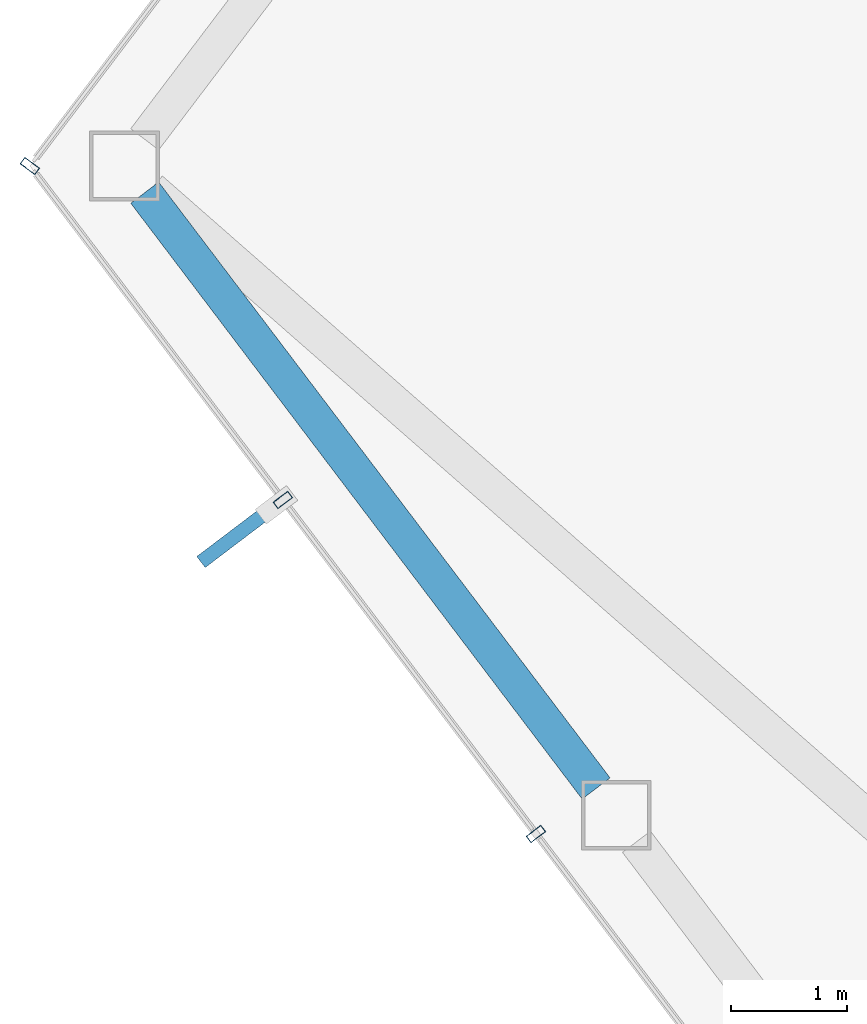
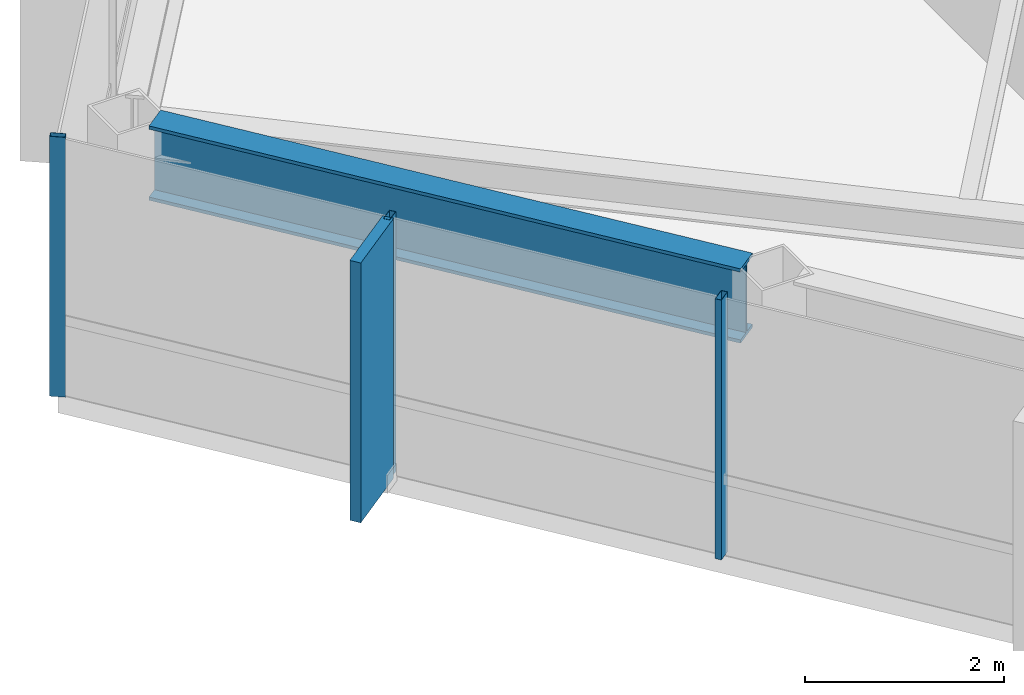
# One storey, part 8 of 25: 4 members, 1 beam, 2 elements without a shape of their own.
"""IFC4 building model written with IfcOpenShell, lengths in metres."""

from ifc_helpers import new_model, si_unit, direction, frame, origin, origin_2d, place, context, subcontext, project, spatial, rectangle, hollow_rectangle, i_section, extrude, material, layer, layer_set, material_profile, profile_set, type_object, element, aggregate, save


model = new_model("IFC4")

# Units and contexts
model_context = context("Model", 3, precision=1e-05, world=origin(), true_north=direction((0.0, 1.0)))
body_context = subcontext(model_context, "Body", "Model", "MODEL_VIEW")
ifc_project = project(units=[si_unit("LENGTHUNIT", "METRE"), si_unit("AREAUNIT", "SQUARE_METRE"), si_unit("VOLUMEUNIT", "CUBIC_METRE"), si_unit("PLANEANGLEUNIT", "RADIAN"), si_unit("MASSUNIT", "GRAM", prefix="KILO")], contexts=[model_context])

# Site, building, storey
site_placement = place(None, origin())
site = spatial("IfcSite", under=ifc_project, at=site_placement, CompositionType="ELEMENT")
building_placement = place(site_placement, origin())
building = spatial("IfcBuilding", under=site, at=building_placement, Name="Zarrinselat Tower", CompositionType="ELEMENT")
storey_placement = place(building_placement, frame((0.0, 0.0, 239.360107421875)))
storey = spatial("IfcBuildingStorey", under=building, at=storey_placement, Name="L60", CompositionType="ELEMENT", Elevation=239.360107421875)

# Beam
ifc_material_1 = material(Name="Steel S460M", Category="steel")
ifc_material_profile_1 = material_profile(ifc_material_1, i_section(OverallWidth=0.302001953125, OverallDepth=0.909912109375, WebThickness=0.02099609375, FlangeThickness=0.0400390625, at=origin_2d()), Name="HEM 900")
ifc_profile_set_1 = profile_set([ifc_material_profile_1], Name="Steel S460M")
beam_type = type_object("IfcBeamType", Name="BM-HEM900", PredefinedType="BEAM", material=ifc_profile_set_1)
beam_placement = place(storey_placement, frame((16.4970703125, 41.34619140625, 2.724853515625), z_axis=(0.603870099969, -0.797082744992, 0.0), x_axis=(0.797082744992, 0.603870099969, 0.0)))
element("IfcBeam", 1, at=beam_placement, inside=storey, type_object=beam_type, Name="L60 Perimeter Spandrel Girder SP06", PredefinedType="BEAM", context=body_context, shape_type="SweptSolid", body=[
    extrude(i_section(OverallWidth=0.302001953125, OverallDepth=0.909912109375, WebThickness=0.02099609375, FlangeThickness=0.0400390625, at=origin_2d()), origin(), (0.0, 0.0, 1.0), 6.43798828125),
])

# Curtain wall, member
ifc_material_2 = material(Name="Extruded Aluminium Alloy EN AW-6063 T6", Category="aluminium")
ifc_layer = layer(ifc_material_2, 0.169921875)
ifc_layer_set = layer_set([ifc_layer], Name="Extruded Aluminium Alloy EN AW-6063 T6")
curtain_wall_type = type_object("IfcCurtainWallType", Name="CWS-RES", PredefinedType="NOTDEFINED", material=ifc_layer_set)
curtain_wall_1_placement = place(storey_placement, origin())
curtain_wall_1 = element("IfcCurtainWall", 2, at=curtain_wall_1_placement, inside=storey, type_object=curtain_wall_type, Name="L60 Unitised Curtain Wall CW-L60-E02", PredefinedType="NOTDEFINED")
ifc_material_3 = material(Name="Extruded Aluminium Alloy EN AW-6063 T6", Category="aluminium")
ifc_material_profile_2 = material_profile(ifc_material_3, hollow_rectangle(XDim=0.070068359375, YDim=0.159912109375, WallThickness=0.00390625, at=origin_2d()), Name="RHS 160x70x4")
ifc_profile_set_2 = profile_set([ifc_material_profile_2], Name="Extruded Aluminium Alloy EN AW-6063 T6")
member_type_1 = type_object("IfcMemberType", Name="MEM-CW-MUL2", PredefinedType="MULLION", material=ifc_profile_set_2)
member_1_placement = place(storey_placement, frame((15.5078125, 41.57568359375, 0.0), z_axis=(0.0, 0.0, 1.0), x_axis=(-0.603859107785, -0.797091072554, 0.0)))
member_1 = element("IfcMember", 3, at=member_1_placement, type_object=member_type_1, Name="CW-L60-E02 Mullion 2", PredefinedType="MULLION", context=body_context, shape_type="SweptSolid", body=[
    extrude(hollow_rectangle(XDim=0.070068359375, YDim=0.159912109375, WallThickness=0.00390625, at=origin_2d()), origin(), (0.0, 0.0, 1.0), 3.179931640625),
])
aggregate(curtain_wall_1, [member_1])

# Curtain wall, members
curtain_wall_2_placement = place(storey_placement, origin())
curtain_wall_2 = element("IfcCurtainWall", 4, at=curtain_wall_2_placement, inside=storey, type_object=curtain_wall_type, Name="L60 Unitised Curtain Wall CW-L60-E03", PredefinedType="NOTDEFINED")
member_2_placement = place(storey_placement, frame((17.68701171875, 38.69921875, 0.0), z_axis=(0.0, 0.0, 1.0), x_axis=(0.603857888062, -0.797091996588, 0.0)))
member_2 = element("IfcMember", 5, at=member_2_placement, type_object=member_type_1, Name="CW-L60-E03 Mullion 1", PredefinedType="MULLION", context=body_context, shape_type="SweptSolid", body=[
    extrude(hollow_rectangle(XDim=0.070068359375, YDim=0.159912109375, WallThickness=0.00390625, at=origin_2d()), origin(), (0.0, 0.0, 1.0), 3.179931640625),
])
member_3_placement = place(storey_placement, frame((19.8662109375, 35.822509765625, 0.0), z_axis=(0.0, 0.0, 1.0), x_axis=(0.603857888062, -0.797091996588, 0.0)))
member_3 = element("IfcMember", 6, at=member_3_placement, type_object=member_type_1, Name="CW-L60-E03 Mullion 2", PredefinedType="MULLION", context=body_context, shape_type="SweptSolid", body=[
    extrude(hollow_rectangle(XDim=0.070068359375, YDim=0.159912109375, WallThickness=0.00390625, at=origin_2d()), origin(), (0.0, 0.0, 1.0), 3.179931640625),
])
ifc_material_4 = material(Name="Honed Cream Travertine Stone", Category="masonry")
ifc_material_profile_3 = material_profile(ifc_material_4, rectangle(XDim=0.1201171875, YDim=0.85009765625, at=origin_2d()), Name="FIN 850x120")
ifc_profile_set_3 = profile_set([ifc_material_profile_3], Name="Honed Cream Travertine Stone")
member_type_2 = type_object("IfcMemberType", Name="MEM-STONE-FIN", PredefinedType="USERDEFINED", material=ifc_profile_set_3)
member_4_placement = place(storey_placement, frame((17.3203125, 38.42138671875, 0.0), z_axis=(0.0, 0.0, 1.0), x_axis=(-0.603857888062, 0.797091996588, 0.0)))
member_4 = element("IfcMember", 7, at=member_4_placement, type_object=member_type_2, Name="L60 Stone Shading Fin CW-L60-E03-01", ObjectType="FIN", PredefinedType="USERDEFINED", context=body_context, shape_type="SweptSolid", body=[
    extrude(rectangle(XDim=0.1201171875, YDim=0.85009765625, at=origin_2d()), origin(), (0.0, 0.0, 1.0), 3.179931640625),
])
aggregate(curtain_wall_2, [member_2, member_4, member_3])

save(model, "model.ifc")
